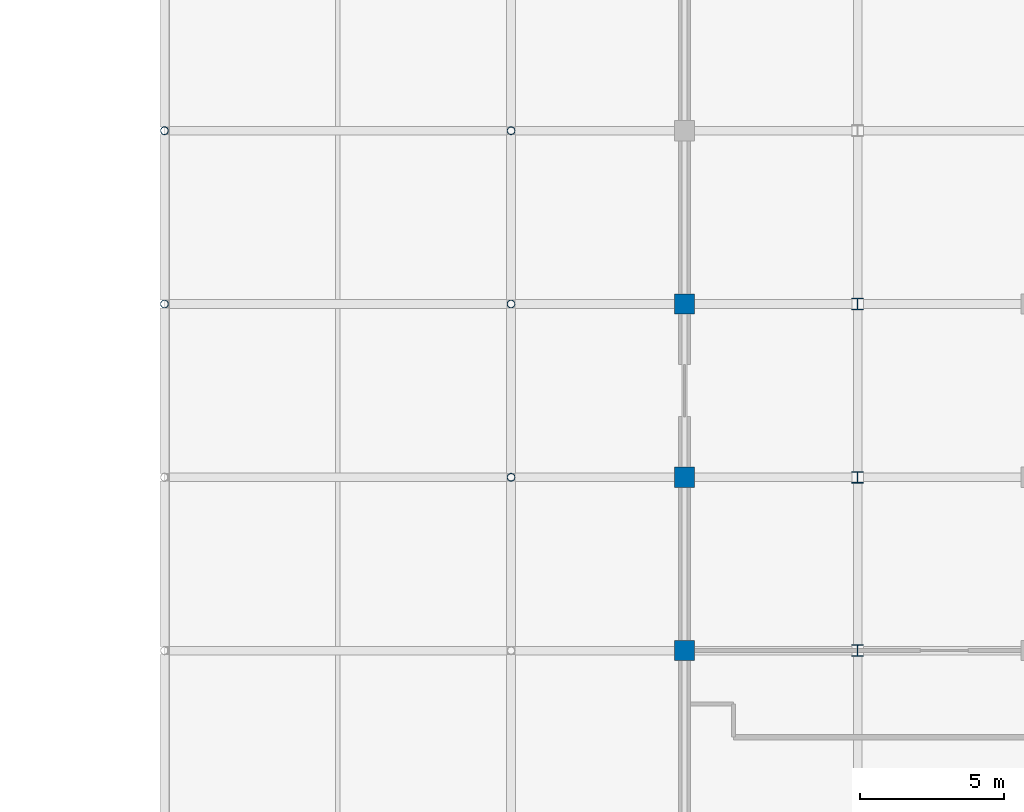
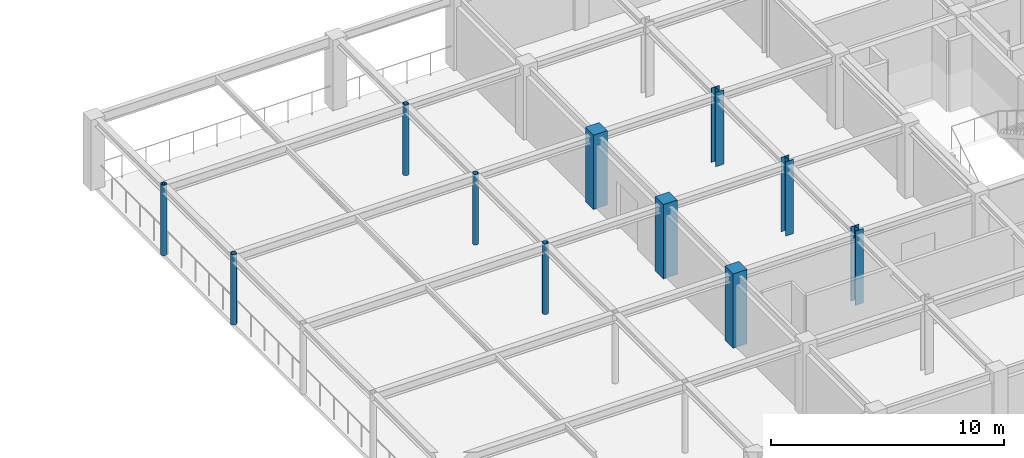
# One storey, part 2 of 25: 11 columns.
"""IFC4 building model written with IfcOpenShell, lengths in metres."""

import ifcopenshell
import ifcopenshell.guid

model = None  # the IFC model being written
_history = None  # IfcOwnerHistory: only IFC2X3 demands one
_inside = {}  # id of a spatial element -> (the spatial element, [elements in it])
_under = {}  # id of a project, library or spatial element -> (it, [spatial elements below it])
_declared = {}  # id of a project -> (the project, [libraries it declares])
_typed = {}  # id of a type object -> (the type object, [elements of that type])
_made_of = {}  # id of a material, layer set ... -> (it, [elements and type objects made of it])


def new_model(schema):
    """Start an empty IFC model of exactly this schema.

    Asked for "IFC4X3", IfcOpenShell would pick the latest addendum, in which some entities
    have other attributes; the version numbers below select the first issue.
    IFC2X3 requires an IfcOwnerHistory on every rooted entity: one is made here for all.
    """
    global model, _history
    if schema == "IFC4X3":
        model = ifcopenshell.file(schema_version=(4, 3, 0, 0))
    else:
        model = ifcopenshell.file(schema=schema)
    _inside.clear()
    _under.clear()
    _declared.clear()
    _typed.clear()
    _made_of.clear()
    _history = None
    if model.schema == "IFC2X3":
        org = make("IfcOrganization", Name="unknown")
        user = make(
            "IfcPersonAndOrganization",
            ThePerson=make("IfcPerson", FamilyName="unknown"),
            TheOrganization=org,
        )
        app = make(
            "IfcApplication",
            ApplicationDeveloper=org,
            Version="unknown",
            ApplicationFullName="unknown",
            ApplicationIdentifier="unknown",
        )
        _history = make(
            "IfcOwnerHistory",
            OwningUser=user,
            OwningApplication=app,
            ChangeAction="ADDED",
            CreationDate=0,
        )
    return model


def make(cls, **values):
    """One entity of the class cls with the attributes given. An attribute that is None is left unset."""
    return model.create_entity(
        cls, **{name: value for name, value in values.items() if value is not None}
    )


def rooted(cls, **values):
    """An entity with a GlobalId (a new one), such as an element, a storey or a relation."""
    return make(cls, GlobalId=ifcopenshell.guid.new(), OwnerHistory=_history, **values)


def si_unit(unit_type, name, prefix=None):
    """IfcSIUnit, for example si_unit("LENGTHUNIT", "METRE", prefix="MILLI")."""
    return make("IfcSIUnit", UnitType=unit_type, Prefix=prefix, Name=name)


def assignment(units):
    """IfcUnitAssignment: the units of a project."""
    return None if units is None else make("IfcUnitAssignment", Units=units)


def point(xyz):
    """IfcCartesianPoint."""
    return None if xyz is None else make("IfcCartesianPoint", Coordinates=xyz)


def direction(xyz):
    """IfcDirection."""
    return None if xyz is None else make("IfcDirection", DirectionRatios=xyz)


def frame(location, z_axis=None, x_axis=None):
    """IfcAxis2Placement3D, a coordinate frame: its origin and axes. An axis left out is left unset."""
    return make(
        "IfcAxis2Placement3D",
        Location=point(location),
        Axis=direction(z_axis),
        RefDirection=direction(x_axis),
    )


def frame_2d(location, x_axis=None):
    """IfcAxis2Placement2D, a coordinate frame in the plane: its origin and x axis."""
    return make(
        "IfcAxis2Placement2D", Location=point(location), RefDirection=direction(x_axis)
    )


def origin():
    """The frame at (0, 0, 0) with its axes left unset."""
    return frame((0.0, 0.0, 0.0))


def origin_2d():
    """The frame at (0, 0) in the plane with its x axis left unset."""
    return frame_2d((0.0, 0.0))


def place(relative_to, where):
    """IfcLocalPlacement: puts the frame where relative to a parent placement (None: the world)."""
    return make(
        "IfcLocalPlacement", PlacementRelTo=relative_to, RelativePlacement=where
    )


def context(
    kind, dimensions, precision=None, world=None, true_north=None, identifier=None
):
    """IfcGeometricRepresentationContext, for example the 3D "Model" context."""
    return make(
        "IfcGeometricRepresentationContext",
        ContextIdentifier=identifier,
        ContextType=kind,
        CoordinateSpaceDimension=dimensions,
        Precision=precision,
        WorldCoordinateSystem=world,
        TrueNorth=true_north,
    )


def subcontext(parent, identifier, kind, view, scale=None):
    """IfcGeometricRepresentationSubContext, for example "Body" below "Model"."""
    return make(
        "IfcGeometricRepresentationSubContext",
        ContextIdentifier=identifier,
        ContextType=kind,
        ParentContext=parent,
        TargetScale=scale,
        TargetView=view,
    )


def project(units=None, contexts=None):
    """IfcProject with its units and contexts."""
    return rooted(
        "IfcProject",
        Name="project",
        RepresentationContexts=contexts,
        UnitsInContext=assignment(units),
    )


def spatial(cls, under=None, at=None, **own):
    """A site, building, storey or space (cls), placed at a placement, below another one or the project."""
    s = rooted(cls, ObjectPlacement=at, **own)
    if under is not None:
        _under.setdefault(under.id(), (under, []))[1].append(s)
    return s


def profile(cls, at=None, kind="AREA", **sizes):
    """A parametric profile (cls). Its sizes go by their IFC names, for example OverallWidth=200.0."""
    return make(cls, ProfileType=kind, Position=at, **sizes)


def rectangle(**sizes):
    """IfcRectangleProfileDef."""
    return profile("IfcRectangleProfileDef", **sizes)


def hollow_circle(**sizes):
    """IfcCircleHollowProfileDef."""
    return profile("IfcCircleHollowProfileDef", **sizes)


def i_section(**sizes):
    """IfcIShapeProfileDef."""
    return profile("IfcIShapeProfileDef", **sizes)


def extrude(swept, where, along, depth):
    """IfcExtrudedAreaSolid: the profile swept, set in the frame where, extruded along a direction by depth."""
    return make(
        "IfcExtrudedAreaSolid",
        SweptArea=swept,
        Position=where,
        ExtrudedDirection=direction(along),
        Depth=depth,
    )


def shape(context_of_items, identifier, shape_type, items):
    """IfcShapeRepresentation: the items that make up one representation, for example the "Body"."""
    return make(
        "IfcShapeRepresentation",
        ContextOfItems=context_of_items,
        RepresentationIdentifier=identifier,
        RepresentationType=shape_type,
        Items=items,
    )


def material(Name=None, Category=None):
    """IfcMaterial."""
    return make("IfcMaterial", Name=Name, Category=Category)


def material_profile(
    of_material, cross_section, Name=None, Category=None, Priority=None
):
    """IfcMaterialProfile: a cross section and its material."""
    return make(
        "IfcMaterialProfile",
        Name=Name,
        Material=of_material,
        Profile=cross_section,
        Priority=Priority,
        Category=Category,
    )


def profile_set(profiles, Name=None, composite=None):
    """IfcMaterialProfileSet."""
    return make(
        "IfcMaterialProfileSet",
        Name=Name,
        MaterialProfiles=profiles,
        CompositeProfile=composite,
    )


def made_of(thing, what):
    """Note that an element or type object is made of a material, layer set ...; save() writes the relation."""
    if what is not None:
        _made_of.setdefault(what.id(), (what, []))[1].append(thing)
    return thing


def type_object(cls, material=None, **own):
    """A type object (cls), such as IfcWallType, which elements share."""
    return made_of(rooted(cls, **own), material)


def element(
    cls,
    number,
    at=None,
    inside=None,
    cuts=None,
    type_object=None,
    material=None,
    context=None,
    identifier="Body",
    shape_type=None,
    held_by="IfcProductDefinitionShape",
    body=None,
    shapes=None,
    **own,
):
    """One element of the class cls, such as IfcWall. Its Tag is "e" and its number.

    at: its placement. inside: the storey or other place that contains it. cuts: it is an
    opening in that element (IfcRelVoidsElement). A single representation is given by context,
    identifier, shape_type and body (its items); several are given by shapes. held_by: the class
    of the entity that holds the representations. save() writes the other relations.
    """
    e = rooted(cls, Tag="e%d" % number, ObjectPlacement=at, **own)
    if body is not None:
        shapes = [shape(context, identifier, shape_type, body)]
    if shapes is not None:
        e.Representation = make(held_by, Representations=shapes)
    if inside is not None:
        _inside.setdefault(inside.id(), (inside, []))[1].append(e)
    if cuts is not None:
        rooted(
            "IfcRelVoidsElement", RelatingBuildingElement=cuts, RelatedOpeningElement=e
        )
    if type_object is not None:
        _typed.setdefault(type_object.id(), (type_object, []))[1].append(e)
    return made_of(e, material)


def aggregate(whole, parts):
    """IfcRelAggregates: a whole, such as a stair, and the parts it consists of."""
    return rooted("IfcRelAggregates", RelatingObject=whole, RelatedObjects=parts)


def save(model, path):
    """Write the relations noted so far, then the file.

    IfcRelAggregates (storeys below a building ...), IfcRelContainedInSpatialStructure (elements
    in a storey), IfcRelDefinesByType, IfcRelAssociatesMaterial and IfcRelDeclares: one each for
    every whole, place, type object, material and project.
    """
    for whole, parts in _under.values():
        aggregate(whole, parts)
    for where, things in _inside.values():
        rooted(
            "IfcRelContainedInSpatialStructure",
            RelatedElements=things,
            RelatingStructure=where,
        )
    for kind, things in _typed.values():
        rooted("IfcRelDefinesByType", RelatedObjects=things, RelatingType=kind)
    for what, things in _made_of.values():
        rooted("IfcRelAssociatesMaterial", RelatedObjects=things, RelatingMaterial=what)
    for by, libraries in _declared.values():
        rooted("IfcRelDeclares", RelatingContext=by, RelatedDefinitions=libraries)
    model.write(path)


model = new_model("IFC4")

# Units and contexts
model_context = context("Model", 3, precision=1e-05, world=origin(), true_north=direction((0.0, 1.0)))
body_context = subcontext(model_context, "Body", "Model", "MODEL_VIEW")
ifc_project = project(units=[si_unit("LENGTHUNIT", "METRE"), si_unit("AREAUNIT", "SQUARE_METRE"), si_unit("VOLUMEUNIT", "CUBIC_METRE"), si_unit("PLANEANGLEUNIT", "RADIAN"), si_unit("MASSUNIT", "GRAM", prefix="KILO")], contexts=[model_context])

# Site, building, storey
site_placement = place(None, origin())
site = spatial("IfcSite", under=ifc_project, at=site_placement, CompositionType="ELEMENT")
building_placement = place(site_placement, origin())
building = spatial("IfcBuilding", under=site, at=building_placement, Name="Zlatovratsky Civic Hall", CompositionType="ELEMENT")
storey_placement = place(building_placement, frame((0.0, 0.0, 21.0)))
storey = spatial("IfcBuildingStorey", under=building, at=storey_placement, Name="L05", CompositionType="ELEMENT", Elevation=21.0)

# Columns
ifc_material_1 = material(Name="Concrete C35/45 (B40)", Category="concrete")
ifc_material_profile_1 = material_profile(ifc_material_1, rectangle(XDim=0.699951171875, YDim=0.699951171875, at=origin_2d()), Name="RC 700x700")
ifc_profile_set_1 = profile_set([ifc_material_profile_1], Name="Concrete C35/45 (B40)")
column_type_1 = type_object("IfcColumnType", Name="Col_CorePier_RC700", PredefinedType="COLUMN", material=ifc_profile_set_1)
for number, where, z_axis, x_axis, name in (
    (1, (54.0, 84.0, 0.0), (0.0, 0.0, 1.0), (1.0, 0.0, 0.0), "CL-1945"),
    (2, (54.0, 90.0, 0.0), (0.0, 0.0, 1.0), (1.0, 0.0, 0.0), "CL-1960"),
    (3, (54.0, 96.0, 0.0), (0.0, 0.0, 1.0), (1.0, 0.0, 0.0), "CL-1975"),
):
    element("IfcColumn", number, at=place(storey_placement, frame(where, z_axis=z_axis, x_axis=x_axis)), inside=storey, type_object=column_type_1, Name=name, PredefinedType="COLUMN", context=body_context, shape_type="SweptSolid", body=[
        extrude(rectangle(XDim=0.699951171875, YDim=0.699951171875, at=origin_2d()), origin(), (0.0, 0.0, 1.0), 3.89990234375),
    ])
ifc_material_2 = material(Name="Steel S355", Category="steel")
ifc_material_profile_2 = material_profile(ifc_material_2, hollow_circle(Radius=0.136474609375, WallThickness=0.010009765625, at=origin_2d()), Name="CHS 273x10")
ifc_profile_set_2 = profile_set([ifc_material_profile_2], Name="Steel S355")
column_type_2 = type_object("IfcColumnType", Name="Col_Portico_CHS273", PredefinedType="COLUMN", material=ifc_profile_set_2)
for number, where, z_axis, x_axis, name in (
    (4, (48.0, 90.0, 0.0), (0.0, 0.0, 1.0), (1.0, 0.0, 0.0), "CL-1959"),
    (5, (36.0, 96.0, 0.0), (0.0, 0.0, 1.0), (1.0, 0.0, 0.0), "CL-1973"),
    (6, (48.0, 96.0, 0.0), (0.0, 0.0, 1.0), (1.0, 0.0, 0.0), "CL-1974"),
    (7, (36.0, 102.0, 0.0), (0.0, 0.0, 1.0), (1.0, 0.0, 0.0), "CL-1988"),
    (8, (48.0, 102.0, 0.0), (0.0, 0.0, 1.0), (1.0, 0.0, 0.0), "CL-1989"),
):
    element("IfcColumn", number, at=place(storey_placement, frame(where, z_axis=z_axis, x_axis=x_axis)), inside=storey, type_object=column_type_2, Name=name, PredefinedType="COLUMN", context=body_context, shape_type="SweptSolid", body=[
        extrude(hollow_circle(Radius=0.136474609375, WallThickness=0.010009765625, at=origin_2d()), origin(), (0.0, 0.0, 1.0), 3.699951171875),
    ])
ifc_material_profile_3 = material_profile(ifc_material_2, i_section(OverallWidth=0.39990234375, OverallDepth=0.39990234375, WebThickness=0.012939453125, FlangeThickness=0.02099609375, FilletRadius=0.02197265625, at=origin_2d()), Name="40K2")
ifc_profile_set_3 = profile_set([ifc_material_profile_3], Name="Steel S355")
column_type_3 = type_object("IfcColumnType", Name="Col_Steel_40K2", PredefinedType="COLUMN", material=ifc_profile_set_3)
for number, where, z_axis, x_axis, name in (
    (9, (60.0, 84.0, 0.0), (0.0, 0.0, 1.0), (1.0, 0.0, 0.0), "CL-1946"),
    (10, (60.0, 90.0, 0.0), (0.0, 0.0, 1.0), (1.0, 0.0, 0.0), "CL-1961"),
    (11, (60.0, 96.0, 0.0), (0.0, 0.0, 1.0), (1.0, 0.0, 0.0), "CL-1976"),
):
    element("IfcColumn", number, at=place(storey_placement, frame(where, z_axis=z_axis, x_axis=x_axis)), inside=storey, type_object=column_type_3, Name=name, PredefinedType="COLUMN", context=body_context, shape_type="SweptSolid", body=[
        extrude(i_section(OverallWidth=0.39990234375, OverallDepth=0.39990234375, WebThickness=0.012939453125, FlangeThickness=0.02099609375, FilletRadius=0.02197265625, at=origin_2d()), origin(), (0.0, 0.0, 1.0), 3.89990234375),
    ])

save(model, "model.ifc")
